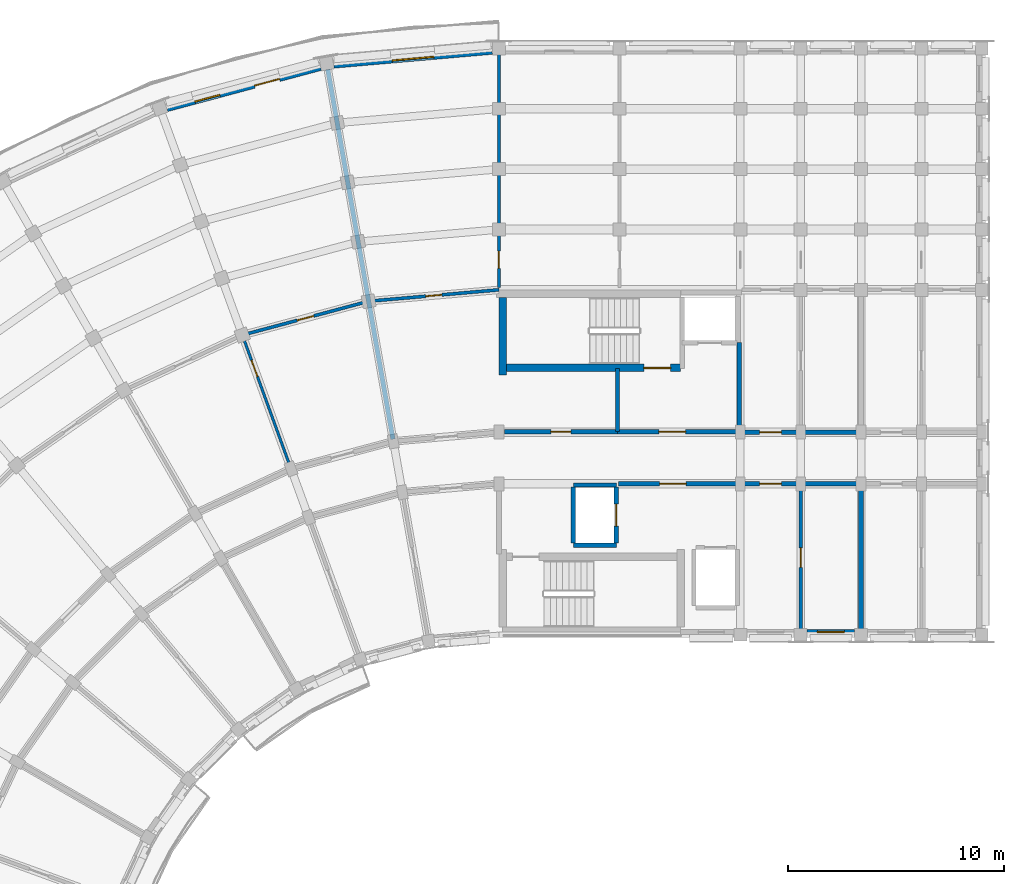
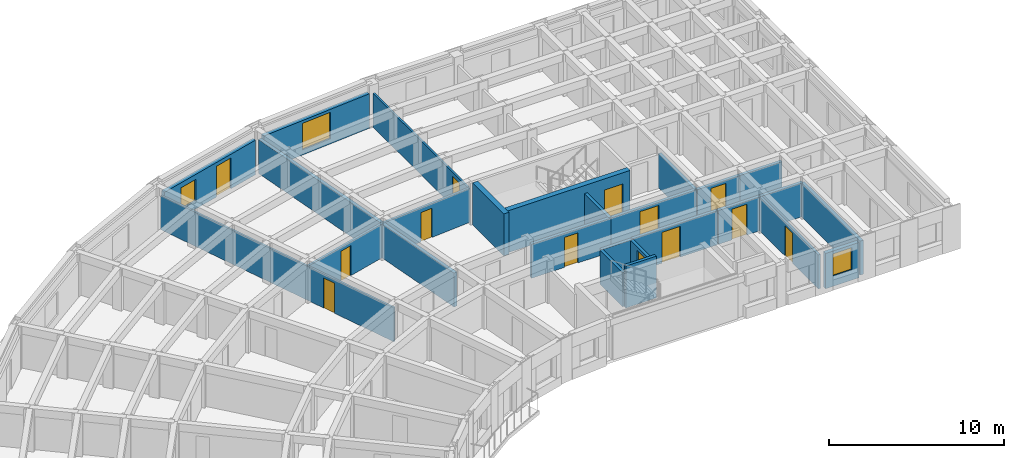
# One storey, part 15 of 36: 25 walls, 13 doors, 3 windows, 16 openings.
"""IFC4 building model written with IfcOpenShell, lengths in metres."""

import ifcopenshell
import ifcopenshell.guid

model = None  # the IFC model being written
_history = None  # IfcOwnerHistory: only IFC2X3 demands one
_inside = {}  # id of a spatial element -> (the spatial element, [elements in it])
_under = {}  # id of a project, library or spatial element -> (it, [spatial elements below it])
_declared = {}  # id of a project -> (the project, [libraries it declares])
_typed = {}  # id of a type object -> (the type object, [elements of that type])
_made_of = {}  # id of a material, layer set ... -> (it, [elements and type objects made of it])


def new_model(schema):
    """Start an empty IFC model of exactly this schema.

    Asked for "IFC4X3", IfcOpenShell would pick the latest addendum, in which some entities
    have other attributes; the version numbers below select the first issue.
    IFC2X3 requires an IfcOwnerHistory on every rooted entity: one is made here for all.
    """
    global model, _history
    if schema == "IFC4X3":
        model = ifcopenshell.file(schema_version=(4, 3, 0, 0))
    else:
        model = ifcopenshell.file(schema=schema)
    _inside.clear()
    _under.clear()
    _declared.clear()
    _typed.clear()
    _made_of.clear()
    _history = None
    if model.schema == "IFC2X3":
        org = make("IfcOrganization", Name="unknown")
        user = make(
            "IfcPersonAndOrganization",
            ThePerson=make("IfcPerson", FamilyName="unknown"),
            TheOrganization=org,
        )
        app = make(
            "IfcApplication",
            ApplicationDeveloper=org,
            Version="unknown",
            ApplicationFullName="unknown",
            ApplicationIdentifier="unknown",
        )
        _history = make(
            "IfcOwnerHistory",
            OwningUser=user,
            OwningApplication=app,
            ChangeAction="ADDED",
            CreationDate=0,
        )
    return model


def make(cls, **values):
    """One entity of the class cls with the attributes given. An attribute that is None is left unset."""
    return model.create_entity(
        cls, **{name: value for name, value in values.items() if value is not None}
    )


def rooted(cls, **values):
    """An entity with a GlobalId (a new one), such as an element, a storey or a relation."""
    return make(cls, GlobalId=ifcopenshell.guid.new(), OwnerHistory=_history, **values)


def si_unit(unit_type, name, prefix=None):
    """IfcSIUnit, for example si_unit("LENGTHUNIT", "METRE", prefix="MILLI")."""
    return make("IfcSIUnit", UnitType=unit_type, Prefix=prefix, Name=name)


def assignment(units):
    """IfcUnitAssignment: the units of a project."""
    return None if units is None else make("IfcUnitAssignment", Units=units)


def point(xyz):
    """IfcCartesianPoint."""
    return None if xyz is None else make("IfcCartesianPoint", Coordinates=xyz)


def direction(xyz):
    """IfcDirection."""
    return None if xyz is None else make("IfcDirection", DirectionRatios=xyz)


def frame(location, z_axis=None, x_axis=None):
    """IfcAxis2Placement3D, a coordinate frame: its origin and axes. An axis left out is left unset."""
    return make(
        "IfcAxis2Placement3D",
        Location=point(location),
        Axis=direction(z_axis),
        RefDirection=direction(x_axis),
    )


def frame_2d(location, x_axis=None):
    """IfcAxis2Placement2D, a coordinate frame in the plane: its origin and x axis."""
    return make(
        "IfcAxis2Placement2D", Location=point(location), RefDirection=direction(x_axis)
    )


def origin():
    """The frame at (0, 0, 0) with its axes left unset."""
    return frame((0.0, 0.0, 0.0))


def place(relative_to, where):
    """IfcLocalPlacement: puts the frame where relative to a parent placement (None: the world)."""
    return make(
        "IfcLocalPlacement", PlacementRelTo=relative_to, RelativePlacement=where
    )


def context(
    kind, dimensions, precision=None, world=None, true_north=None, identifier=None
):
    """IfcGeometricRepresentationContext, for example the 3D "Model" context."""
    return make(
        "IfcGeometricRepresentationContext",
        ContextIdentifier=identifier,
        ContextType=kind,
        CoordinateSpaceDimension=dimensions,
        Precision=precision,
        WorldCoordinateSystem=world,
        TrueNorth=true_north,
    )


def subcontext(parent, identifier, kind, view, scale=None):
    """IfcGeometricRepresentationSubContext, for example "Body" below "Model"."""
    return make(
        "IfcGeometricRepresentationSubContext",
        ContextIdentifier=identifier,
        ContextType=kind,
        ParentContext=parent,
        TargetScale=scale,
        TargetView=view,
    )


def project(units=None, contexts=None):
    """IfcProject with its units and contexts."""
    return rooted(
        "IfcProject",
        Name="project",
        RepresentationContexts=contexts,
        UnitsInContext=assignment(units),
    )


def spatial(cls, under=None, at=None, **own):
    """A site, building, storey or space (cls), placed at a placement, below another one or the project."""
    s = rooted(cls, ObjectPlacement=at, **own)
    if under is not None:
        _under.setdefault(under.id(), (under, []))[1].append(s)
    return s


def profile(cls, at=None, kind="AREA", **sizes):
    """A parametric profile (cls). Its sizes go by their IFC names, for example OverallWidth=200.0."""
    return make(cls, ProfileType=kind, Position=at, **sizes)


def rectangle(**sizes):
    """IfcRectangleProfileDef."""
    return profile("IfcRectangleProfileDef", **sizes)


def extrude(swept, where, along, depth):
    """IfcExtrudedAreaSolid: the profile swept, set in the frame where, extruded along a direction by depth."""
    return make(
        "IfcExtrudedAreaSolid",
        SweptArea=swept,
        Position=where,
        ExtrudedDirection=direction(along),
        Depth=depth,
    )


def shape(context_of_items, identifier, shape_type, items):
    """IfcShapeRepresentation: the items that make up one representation, for example the "Body"."""
    return make(
        "IfcShapeRepresentation",
        ContextOfItems=context_of_items,
        RepresentationIdentifier=identifier,
        RepresentationType=shape_type,
        Items=items,
    )


def material(Name=None, Category=None):
    """IfcMaterial."""
    return make("IfcMaterial", Name=Name, Category=Category)


def layer(
    of_material, thickness, ventilated=None, Name=None, Category=None, Priority=None
):
    """IfcMaterialLayer: one layer of a wall or slab, of a material (None: an air gap)."""
    return make(
        "IfcMaterialLayer",
        Material=of_material,
        LayerThickness=thickness,
        IsVentilated=ventilated,
        Name=Name,
        Category=Category,
        Priority=Priority,
    )


def layer_set(layers, Name=None):
    """IfcMaterialLayerSet."""
    return make("IfcMaterialLayerSet", MaterialLayers=layers, LayerSetName=Name)


def made_of(thing, what):
    """Note that an element or type object is made of a material, layer set ...; save() writes the relation."""
    if what is not None:
        _made_of.setdefault(what.id(), (what, []))[1].append(thing)
    return thing


def type_object(cls, material=None, **own):
    """A type object (cls), such as IfcWallType, which elements share."""
    return made_of(rooted(cls, **own), material)


def element(
    cls,
    number,
    at=None,
    inside=None,
    cuts=None,
    type_object=None,
    material=None,
    context=None,
    identifier="Body",
    shape_type=None,
    held_by="IfcProductDefinitionShape",
    body=None,
    shapes=None,
    **own,
):
    """One element of the class cls, such as IfcWall. Its Tag is "e" and its number.

    at: its placement. inside: the storey or other place that contains it. cuts: it is an
    opening in that element (IfcRelVoidsElement). A single representation is given by context,
    identifier, shape_type and body (its items); several are given by shapes. held_by: the class
    of the entity that holds the representations. save() writes the other relations.
    """
    e = rooted(cls, Tag="e%d" % number, ObjectPlacement=at, **own)
    if body is not None:
        shapes = [shape(context, identifier, shape_type, body)]
    if shapes is not None:
        e.Representation = make(held_by, Representations=shapes)
    if inside is not None:
        _inside.setdefault(inside.id(), (inside, []))[1].append(e)
    if cuts is not None:
        rooted(
            "IfcRelVoidsElement", RelatingBuildingElement=cuts, RelatedOpeningElement=e
        )
    if type_object is not None:
        _typed.setdefault(type_object.id(), (type_object, []))[1].append(e)
    return made_of(e, material)


def fill(opening, filler):
    """IfcRelFillsElement: the door or window that sits in an opening."""
    return rooted(
        "IfcRelFillsElement",
        RelatingOpeningElement=opening,
        RelatedBuildingElement=filler,
    )


def aggregate(whole, parts):
    """IfcRelAggregates: a whole, such as a stair, and the parts it consists of."""
    return rooted("IfcRelAggregates", RelatingObject=whole, RelatedObjects=parts)


def save(model, path):
    """Write the relations noted so far, then the file.

    IfcRelAggregates (storeys below a building ...), IfcRelContainedInSpatialStructure (elements
    in a storey), IfcRelDefinesByType, IfcRelAssociatesMaterial and IfcRelDeclares: one each for
    every whole, place, type object, material and project.
    """
    for whole, parts in _under.values():
        aggregate(whole, parts)
    for where, things in _inside.values():
        rooted(
            "IfcRelContainedInSpatialStructure",
            RelatedElements=things,
            RelatingStructure=where,
        )
    for kind, things in _typed.values():
        rooted("IfcRelDefinesByType", RelatedObjects=things, RelatingType=kind)
    for what, things in _made_of.values():
        rooted("IfcRelAssociatesMaterial", RelatedObjects=things, RelatingMaterial=what)
    for by, libraries in _declared.values():
        rooted("IfcRelDeclares", RelatingContext=by, RelatedDefinitions=libraries)
    model.write(path)


model = new_model("IFC4")

# Units and contexts
model_context = context("Model", 3, precision=1e-05, world=origin(), true_north=direction((0.0, 1.0)))
body_context = subcontext(model_context, "Body", "Model", "MODEL_VIEW")
ifc_project = project(units=[si_unit("LENGTHUNIT", "METRE"), si_unit("AREAUNIT", "SQUARE_METRE"), si_unit("VOLUMEUNIT", "CUBIC_METRE"), si_unit("PLANEANGLEUNIT", "RADIAN"), si_unit("MASSUNIT", "GRAM", prefix="KILO")], contexts=[model_context])

# Site, building, storey
site_placement = place(None, origin())
site = spatial("IfcSite", under=ifc_project, at=site_placement, CompositionType="ELEMENT")
building_placement = place(site_placement, origin())
building = spatial("IfcBuilding", under=site, at=building_placement, Name="Kiranvali Square Residences", CompositionType="ELEMENT")
storey_placement = place(building_placement, frame((0.0, 0.0, 37.050048828125)))
storey = spatial("IfcBuildingStorey", under=building, at=storey_placement, Name="L11", CompositionType="ELEMENT", Elevation=37.050048828125)

# Wall, opening, door
ifc_material_1 = material(Name="Autoclaved aerated concrete blockwork masonry", Category="masonry")
ifc_layer_1 = layer(ifc_material_1, 0.199951171875)
ifc_layer_set_1 = layer_set([ifc_layer_1], Name="Autoclaved aerated concrete blockwork masonry")
wall_type_1 = type_object("IfcWallType", Name="WL-COR-200", PredefinedType="STANDARD", material=ifc_layer_set_1)
wall_1_placement = place(storey_placement, frame((53.75, 113.60009765625, 0.0), z_axis=(0.0, 0.0, 1.0), x_axis=(1.0, 0.0, 0.0)))
wall_1 = element("IfcWall", 1, at=wall_1_placement, inside=storey, type_object=wall_type_1, Name="L11 architectural wall WL-L11-A-LL-COR", PredefinedType="STANDARD", context=body_context, shape_type="SweptSolid", body=[
    extrude(rectangle(XDim=5.60009765625, YDim=0.199951171875, at=frame_2d((2.800048828125, 0.0))), origin(), (0.0, 0.0, 1.0), 2.3720703125),
])
opening_1_placement = place(wall_1_placement, frame((1.909912109375, 0.0, 0.0)))
opening_1 = element("IfcOpeningElement", 2, at=opening_1_placement, cuts=wall_1, Name="Opening FD-COR-60", PredefinedType="OPENING", context=body_context, shape_type="SweptSolid", body=[
    extrude(rectangle(XDim=1.219970703125, YDim=2.14990234375, at=frame_2d((0.60986328125, 1.074951171875))), frame((0.0, 0.10986328125, 0.0), z_axis=(0.0, -1.0, 0.0), x_axis=(1.0, 0.0, 0.0)), (0.0, 0.0, 1.0), 0.219970703125),
])
ifc_material_2 = material(Name="Fire-rated acoustic hardwood and mineral-core door assembly", Category="wood")
door_type_1 = type_object("IfcDoorType", Name="DR-FD60-1200", OperationType="NOTDEFINED", PredefinedType="DOOR", material=ifc_material_2)
door_1_placement = place(opening_1_placement, frame((1.219970703125, 0.0, 0.0), z_axis=(0.0, 0.0, 1.0), x_axis=(-1.0, 0.0, 0.0)))
door_1 = element("IfcDoor", 3, at=door_1_placement, inside=storey, type_object=door_type_1, Name="L11 door DR-L11-0686 (DR-FD60-1200)", OperationType="SINGLE_SWING_RIGHT", OverallHeight=2.14990234375, OverallWidth=1.219970703125, PredefinedType="DOOR", context=body_context, shape_type="SweptSolid", body=[
    extrude(rectangle(XDim=1.219970703125, YDim=2.14990234375, at=frame_2d((0.60986328125, 1.074951171875))), frame((0.0, 0.02490234375, 0.0), z_axis=(0.0, -1.0, 0.0), x_axis=(1.0, 0.0, 0.0)), (0.0, 0.0, 1.0), 0.050048828125),
])
fill(opening_1, door_1)

wall_2_placement = place(storey_placement, frame((59.39990234375, 113.60009765625, 0.0), z_axis=(0.0, 0.0, 1.0), x_axis=(1.0, 0.0, 0.0)))
wall_2 = element("IfcWall", 4, at=wall_2_placement, inside=storey, type_object=wall_type_1, Name="L11 architectural wall WL-L11-A-A1CI-0", PredefinedType="STANDARD", context=body_context, shape_type="SweptSolid", body=[
    extrude(rectangle(XDim=2.800048828125, YDim=0.199951171875, at=frame_2d((1.39990234375, 0.0))), origin(), (0.0, 0.0, 1.0), 2.3720703125),
])
opening_2_placement = place(wall_2_placement, frame((0.89990234375, 0.0, 0.0)))
opening_2 = element("IfcOpeningElement", 5, at=opening_2_placement, cuts=wall_2, Name="Opening FD-APT-60", PredefinedType="OPENING", context=body_context, shape_type="SweptSolid", body=[
    extrude(rectangle(XDim=1.0, YDim=2.14990234375, at=frame_2d((0.5, 1.074951171875))), frame((0.0, 0.10986328125, 0.0), z_axis=(0.0, -1.0, 0.0), x_axis=(1.0, 0.0, 0.0)), (0.0, 0.0, 1.0), 0.219970703125),
])
door_type_2 = type_object("IfcDoorType", Name="DR-APT-1000", OperationType="NOTDEFINED", PredefinedType="DOOR", material=ifc_material_2)
door_2_placement = place(opening_2_placement, frame((1.0, 0.0, 0.0), z_axis=(0.0, 0.0, 1.0), x_axis=(-1.0, 0.0, 0.0)))
door_2 = element("IfcDoor", 6, at=door_2_placement, inside=storey, type_object=door_type_2, Name="L11 door DR-L11-0690 (DR-APT-1000)", OperationType="SINGLE_SWING_RIGHT", OverallHeight=2.14990234375, OverallWidth=1.0, PredefinedType="DOOR", context=body_context, shape_type="SweptSolid", body=[
    extrude(rectangle(XDim=1.0, YDim=2.14990234375, at=frame_2d((0.5, 1.074951171875))), frame((0.0, 0.02490234375, 0.0), z_axis=(0.0, -1.0, 0.0), x_axis=(1.0, 0.0, 0.0)), (0.0, 0.0, 1.0), 0.050048828125),
])
fill(opening_2, door_2)

wall_3_placement = place(storey_placement, frame((59.39990234375, 116.0, 0.0), z_axis=(0.0, 0.0, 1.0), x_axis=(1.0, 0.0, 0.0)))
wall_3 = element("IfcWall", 7, at=wall_3_placement, inside=storey, type_object=wall_type_1, Name="L11 architectural wall WL-L11-A-A1CO-0", PredefinedType="STANDARD", context=body_context, shape_type="SweptSolid", body=[
    extrude(rectangle(XDim=2.800048828125, YDim=0.199951171875, at=frame_2d((1.39990234375, 0.0))), origin(), (0.0, 0.0, 1.0), 2.3720703125),
])
opening_3_placement = place(wall_3_placement, frame((0.89990234375, 0.0, 0.0)))
opening_3 = element("IfcOpeningElement", 8, at=opening_3_placement, cuts=wall_3, Name="Opening FD-APT-60", PredefinedType="OPENING", context=body_context, shape_type="SweptSolid", body=[
    extrude(rectangle(XDim=1.0, YDim=2.14990234375, at=frame_2d((0.5, 1.074951171875))), frame((0.0, 0.10986328125, 0.0), z_axis=(0.0, -1.0, 0.0), x_axis=(1.0, 0.0, 0.0)), (0.0, 0.0, 1.0), 0.219970703125),
])
door_3_placement = place(opening_3_placement, frame((1.0, 0.0, 0.0), z_axis=(0.0, 0.0, 1.0), x_axis=(-1.0, 0.0, 0.0)))
door_3 = element("IfcDoor", 9, at=door_3_placement, inside=storey, type_object=door_type_2, Name="L11 door DR-L11-0692 (DR-APT-1000)", OperationType="SINGLE_SWING_RIGHT", OverallHeight=2.14990234375, OverallWidth=1.0, PredefinedType="DOOR", context=body_context, shape_type="SweptSolid", body=[
    extrude(rectangle(XDim=1.0, YDim=2.14990234375, at=frame_2d((0.5, 1.074951171875))), frame((0.0, 0.02490234375, 0.0), z_axis=(0.0, -1.0, 0.0), x_axis=(1.0, 0.0, 0.0)), (0.0, 0.0, 1.0), 0.050048828125),
])
fill(opening_3, door_3)

# Walls
for number, where, z_axis, x_axis, name in (
    (10, (62.199951171875, 113.60009765625, 0.0), (0.0, 0.0, 1.0), (1.0, 0.0, 0.0), "L11 architectural wall WL-L11-A-A1CI-1"),
    (11, (62.199951171875, 116.0, 0.0), (0.0, 0.0, 1.0), (1.0, 0.0, 0.0), "L11 architectural wall WL-L11-A-A1CO-1"),
):
    element("IfcWall", number, at=place(storey_placement, frame(where, z_axis=z_axis, x_axis=x_axis)), inside=storey, type_object=wall_type_1, Name=name, PredefinedType="STANDARD", context=body_context, shape_type="SweptSolid", body=[
        extrude(rectangle(XDim=2.800048828125, YDim=0.199951171875, at=frame_2d((1.39990234375, 0.0))), origin(), (0.0, 0.0, 1.0), 2.3720703125),
    ])
ifc_layer_2 = layer(ifc_material_1, 0.219970703125)
ifc_layer_set_2 = layer_set([ifc_layer_2], Name="Autoclaved aerated concrete blockwork masonry")
wall_type_2 = type_object("IfcWallType", Name="WL-DEM-220", PredefinedType="STANDARD", material=ifc_layer_set_2)
wall_4_placement = place(storey_placement, frame((65.0, 106.800048828125, 0.0), z_axis=(0.0, 0.0, 1.0), x_axis=(0.0, 1.0, 0.0)))
element("IfcWall", 12, at=wall_4_placement, inside=storey, type_object=wall_type_2, Name="L11 architectural wall WL-L11-A-A1TI-2", PredefinedType="STANDARD", context=body_context, shape_type="SweptSolid", body=[
    extrude(rectangle(XDim=6.75, YDim=0.219970703125, at=frame_2d((3.375, 0.0))), origin(), (0.0, 0.0, 1.0), 2.3720703125),
])
wall_5_placement = place(storey_placement, frame((43.28564453125, 115.670166015625, 0.0), z_axis=(0.0, 0.0, 1.0), x_axis=(-0.173646216546, 0.984808098809, 0.0)))
element("IfcWall", 13, at=wall_5_placement, inside=storey, type_object=wall_type_2, Name="L11 architectural wall WL-L11-A-RADO-1", PredefinedType="STANDARD", context=body_context, shape_type="SweptSolid", body=[
    extrude(rectangle(XDim=17.419921875, YDim=0.219970703125, at=frame_2d((8.7099609375, 0.0))), origin(), (0.0, 0.0, 1.0), 2.3720703125),
])

# Wall, opening, window
ifc_material_3 = material(Name="Breathable lime-rendered clay brick masonry", Category="masonry")
ifc_layer_3 = layer(ifc_material_3, 0.25)
ifc_layer_set_3 = layer_set([ifc_layer_3], Name="Breathable lime-rendered clay brick masonry")
wall_type_3 = type_object("IfcWallType", Name="WL-EXT-250", PredefinedType="STANDARD", material=ifc_layer_set_3)
wall_6_placement = place(storey_placement, frame((47.886474609375, 133.64697265625, 0.0), z_axis=(0.0, 0.0, 1.0), x_axis=(-0.996197565379, -0.087122963287, 0.0)))
wall_6 = element("IfcWall", 14, at=wall_6_placement, inside=storey, type_object=wall_type_3, Name="L11 exterior wall A-L11-CRV-00", PredefinedType="STANDARD", context=body_context, shape_type="SweptSolid", body=[
    extrude(rectangle(XDim=7.3671875, YDim=0.25, at=frame_2d((3.68359375, 0.0))), origin(), (0.0, 0.0, 1.0), 2.411865234375),
])
opening_4_placement = place(wall_6_placement, frame((2.70849609375, 0.0, 0.362060546875)))
opening_4 = element("IfcOpeningElement", 15, at=opening_4_placement, cuts=wall_6, Name="Opening W-12", PredefinedType="OPENING", context=body_context, shape_type="SweptSolid", body=[
    extrude(rectangle(XDim=1.949951171875, YDim=1.85009765625, at=frame_2d((0.97509765625, 0.925048828125))), frame((0.0, 0.135009765625, 0.0), z_axis=(0.0, -1.0, 0.0), x_axis=(1.0, 0.0, 0.0)), (0.0, 0.0, 1.0), 0.27001953125),
])
ifc_material_4 = material(Name="Solar-control low-e double glazing", Category="glass")
window_type_1 = type_object("IfcWindowType", Name="WIN-RES-1950x1850", PartitioningType="DOUBLE_PANEL_VERTICAL", PredefinedType="WINDOW", material=ifc_material_4)
window_1_placement = place(opening_4_placement, origin())
window_1 = element("IfcWindow", 16, at=window_1_placement, inside=storey, type_object=window_type_1, Name="L11 recessed window A-L11-CRV-00", OverallHeight=1.85009765625, OverallWidth=1.949951171875, PartitioningType="DOUBLE_PANEL_VERTICAL", PredefinedType="WINDOW", context=body_context, shape_type="SweptSolid", body=[
    extrude(rectangle(XDim=1.949951171875, YDim=1.85009765625, at=frame_2d((0.97509765625, 0.925048828125))), frame((0.0, 0.030029296875, 0.0), z_axis=(0.0, -1.0, 0.0), x_axis=(1.0, 0.0, 0.0)), (0.0, 0.0, 1.0), 0.06005859375),
])
fill(opening_4, window_1)

# Wall, openings, door, window
wall_7_placement = place(storey_placement, frame((39.929931640625, 132.896240234375, 0.0), z_axis=(0.0, 0.0, 1.0), x_axis=(-0.965925122991, -0.258821669831, 0.0)))
wall_7 = element("IfcWall", 17, at=wall_7_placement, inside=storey, type_object=wall_type_3, Name="L11 exterior wall A-L11-CRV-01", PredefinedType="STANDARD", context=body_context, shape_type="SweptSolid", body=[
    extrude(rectangle(XDim=7.366943359375, YDim=0.25, at=frame_2d((3.68359375, 0.0))), origin(), (0.0, 0.0, 1.0), 2.411865234375),
])
opening_5_placement = place(wall_7_placement, frame((4.83984375, 0.0, 0.56201171875)))
opening_5 = element("IfcOpeningElement", 18, at=opening_5_placement, cuts=wall_7, Name="Opening W-06", PredefinedType="OPENING", context=body_context, shape_type="SweptSolid", body=[
    extrude(rectangle(XDim=1.199951171875, YDim=1.5, at=frame_2d((0.60009765625, 0.75))), frame((0.0, 0.135009765625, 0.0), z_axis=(0.0, -1.0, 0.0), x_axis=(1.0, 0.0, 0.0)), (0.0, 0.0, 1.0), 0.27001953125),
])
opening_6_placement = place(wall_7_placement, frame((1.978515625, 0.0, 0.0)))
opening_6 = element("IfcOpeningElement", 19, at=opening_6_placement, cuts=wall_7, Name="Opening ED-BAL-1", PredefinedType="OPENING", context=body_context, shape_type="SweptSolid", body=[
    extrude(rectangle(XDim=1.199951171875, YDim=2.14990234375, at=frame_2d((0.60009765625, 1.074951171875))), frame((0.0, 0.135009765625, 0.0), z_axis=(0.0, -1.0, 0.0), x_axis=(1.0, 0.0, 0.0)), (0.0, 0.0, 1.0), 0.27001953125),
])
ifc_material_5 = material(Name="Anodised bronze aluminium framing", Category="aluminium")
door_type_3 = type_object("IfcDoorType", Name="DR-BAL-1200", OperationType="NOTDEFINED", PredefinedType="DOOR", material=ifc_material_5)
door_4_placement = place(opening_6_placement, frame((1.199951171875, 0.0, 0.0), z_axis=(0.0, 0.0, 1.0), x_axis=(-1.0, 0.0, 0.0)))
door_4 = element("IfcDoor", 20, at=door_4_placement, inside=storey, type_object=door_type_3, Name="L11 balcony terrace door", OperationType="SINGLE_SWING_LEFT", OverallHeight=2.14990234375, OverallWidth=1.199951171875, PredefinedType="DOOR", context=body_context, shape_type="SweptSolid", body=[
    extrude(rectangle(XDim=1.199951171875, YDim=2.14990234375, at=frame_2d((0.60009765625, 1.074951171875))), frame((0.0, 0.02490234375, 0.0), z_axis=(0.0, -1.0, 0.0), x_axis=(1.0, 0.0, 0.0)), (0.0, 0.0, 1.0), 0.050048828125),
])
fill(opening_6, door_4)
window_type_2 = type_object("IfcWindowType", Name="WIN-RES-1200x1500", PartitioningType="SINGLE_PANEL", PredefinedType="WINDOW", material=ifc_material_4)
window_2_placement = place(opening_5_placement, origin())
window_2 = element("IfcWindow", 21, at=window_2_placement, inside=storey, type_object=window_type_2, Name="L11 recessed window A-L11-CRV-01", OverallHeight=1.5, OverallWidth=1.199951171875, PartitioningType="SINGLE_PANEL", PredefinedType="WINDOW", context=body_context, shape_type="SweptSolid", body=[
    extrude(rectangle(XDim=1.199951171875, YDim=1.5, at=frame_2d((0.60009765625, 0.75))), frame((0.0, 0.030029296875, 0.0), z_axis=(0.0, -1.0, 0.0), x_axis=(1.0, 0.0, 0.0)), (0.0, 0.0, 1.0), 0.06005859375),
])
fill(opening_5, window_2)

# Wall, opening, window
wall_8_placement = place(storey_placement, frame((62.50341796875, 106.72509765625, 0.0), z_axis=(0.0, 0.0, 1.0), x_axis=(1.0, 0.0, 0.0)))
wall_8 = element("IfcWall", 22, at=wall_8_placement, inside=storey, type_object=wall_type_3, Name="L11 exterior wall A-L11-A1I-1", PredefinedType="STANDARD", context=body_context, shape_type="SweptSolid", body=[
    extrude(rectangle(XDim=2.193115234375, YDim=0.25, at=frame_2d((1.0966796875, 0.0))), origin(), (0.0, 0.0, 1.0), 2.471923828125),
])
opening_7_placement = place(wall_8_placement, frame((0.471435546875, 0.0, 0.721923828125)))
opening_7 = element("IfcOpeningElement", 23, at=opening_7_placement, cuts=wall_8, Name="Opening W-19", PredefinedType="OPENING", context=body_context, shape_type="SweptSolid", body=[
    extrude(rectangle(XDim=1.25, YDim=1.550048828125, at=frame_2d((0.625, 0.77490234375))), frame((0.0, 0.135009765625, 0.0), z_axis=(0.0, -1.0, 0.0), x_axis=(1.0, 0.0, 0.0)), (0.0, 0.0, 1.0), 0.27001953125),
])
window_type_3 = type_object("IfcWindowType", Name="WIN-GDN-1250x1550", PartitioningType="SINGLE_PANEL", PredefinedType="WINDOW", material=ifc_material_4)
window_3_placement = place(opening_7_placement, origin())
window_3 = element("IfcWindow", 24, at=window_3_placement, inside=storey, type_object=window_type_3, Name="L11 recessed window A-L11-A1I-1", OverallHeight=1.550048828125, OverallWidth=1.25, PartitioningType="SINGLE_PANEL", PredefinedType="WINDOW", context=body_context, shape_type="SweptSolid", body=[
    extrude(rectangle(XDim=1.25, YDim=1.550048828125, at=frame_2d((0.625, 0.77490234375))), frame((0.0, 0.030029296875, 0.0), z_axis=(0.0, -1.0, 0.0), x_axis=(1.0, 0.0, 0.0)), (0.0, 0.0, 1.0), 0.06005859375),
])
fill(opening_7, window_3)

# Wall, opening, door
ifc_layer_4 = layer(ifc_material_1, 0.199951171875)
ifc_layer_set_4 = layer_set([ifc_layer_4], Name="Autoclaved aerated concrete blockwork masonry")
wall_type_4 = type_object("IfcWallType", Name="WL-FFL-200", PredefinedType="STANDARD", material=ifc_layer_set_4)
wall_9_placement = place(storey_placement, frame((53.699951171875, 116.02001953125, 0.0), z_axis=(0.0, 0.0, 1.0), x_axis=(1.0, 0.0, 0.0)))
wall_9 = element("IfcWall", 25, at=wall_9_placement, inside=storey, type_object=wall_type_4, Name="L11 architectural wall WL-L11-A-FF-COR", PredefinedType="STANDARD", context=body_context, shape_type="SweptSolid", body=[
    extrude(rectangle(XDim=5.650146484375, YDim=0.199951171875, at=frame_2d((2.8251953125, 0.0))), origin(), (0.0, 0.0, 1.0), 2.3720703125),
])
opening_8_placement = place(wall_9_placement, frame((1.922607421875, 0.0, 0.0)))
opening_8 = element("IfcOpeningElement", 26, at=opening_8_placement, cuts=wall_9, Name="Opening FD-ST-120", PredefinedType="OPENING", context=body_context, shape_type="SweptSolid", body=[
    extrude(rectangle(XDim=1.239990234375, YDim=2.14990234375, at=frame_2d((0.6201171875, 1.074951171875))), frame((0.0, 0.10986328125, 0.0), z_axis=(0.0, -1.0, 0.0), x_axis=(1.0, 0.0, 0.0)), (0.0, 0.0, 1.0), 0.219970703125),
])
door_type_4 = type_object("IfcDoorType", Name="DR-FD120-1200", OperationType="NOTDEFINED", PredefinedType="DOOR", material=ifc_material_2)
door_5_placement = place(opening_8_placement, frame((1.239990234375, 0.0, 0.0), z_axis=(0.0, 0.0, 1.0), x_axis=(-1.0, 0.0, 0.0)))
door_5 = element("IfcDoor", 27, at=door_5_placement, inside=storey, type_object=door_type_4, Name="L11 door DR-L11-0678 (DR-FD120-1200)", OperationType="SINGLE_SWING_RIGHT", OverallHeight=2.14990234375, OverallWidth=1.239990234375, PredefinedType="DOOR", context=body_context, shape_type="SweptSolid", body=[
    extrude(rectangle(XDim=1.239990234375, YDim=2.14990234375, at=frame_2d((0.6201171875, 1.074951171875))), frame((0.0, 0.02490234375, 0.0), z_axis=(0.0, -1.0, 0.0), x_axis=(1.0, 0.0, 0.0)), (0.0, 0.0, 1.0), 0.050048828125),
])
fill(opening_8, door_5)

# Walls
wall_10_placement = place(storey_placement, frame((53.699951171875, 116.02001953125, 0.0), z_axis=(0.0, 0.0, 1.0), x_axis=(0.0, 1.0, 0.0)))
element("IfcWall", 28, at=wall_10_placement, inside=storey, type_object=wall_type_4, Name="L11 architectural wall WL-L11-A-FF-DIV", PredefinedType="STANDARD", context=body_context, shape_type="SweptSolid", body=[
    extrude(rectangle(XDim=2.929931640625, YDim=0.199951171875, at=frame_2d((1.46484375, 0.0))), origin(), (0.0, 0.0, 1.0), 2.3720703125),
])
wall_11_placement = place(storey_placement, frame((59.35009765625, 116.02001953125, 0.0), z_axis=(0.0, 0.0, 1.0), x_axis=(0.0, 1.0, 0.0)))
element("IfcWall", 29, at=wall_11_placement, inside=storey, type_object=wall_type_4, Name="L11 architectural wall WL-L11-A-FF-END", PredefinedType="STANDARD", context=body_context, shape_type="SweptSolid", body=[
    extrude(rectangle(XDim=4.1298828125, YDim=0.199951171875, at=frame_2d((2.06494140625, 0.0))), origin(), (0.0, 0.0, 1.0), 2.3720703125),
])

# Wall, opening, door
ifc_material_6 = material(Name="Acoustic gypsum board drylined partition", Category="gypsum")
ifc_layer_5 = layer(ifc_material_6, 0.125)
ifc_layer_set_5 = layer_set([ifc_layer_5], Name="Acoustic gypsum board drylined partition")
wall_type_5 = type_object("IfcWallType", Name="WL-PRT-125", PredefinedType="PARTITIONING", material=ifc_layer_set_5)
wall_12_placement = place(storey_placement, frame((48.199951171875, 122.699951171875, 0.0), z_axis=(0.0, 0.0, 1.0), x_axis=(0.0, 1.0, 0.0)))
wall_12 = element("IfcWall", 30, at=wall_12_placement, inside=storey, type_object=wall_type_5, Name="L11 architectural wall WL-L11-A-RADO-0", PredefinedType="PARTITIONING", context=body_context, shape_type="SweptSolid", body=[
    extrude(rectangle(XDim=10.820068359375, YDim=0.125, at=frame_2d((5.41015625, 0.0))), origin(), (0.0, 0.0, 1.0), 2.3720703125),
])
opening_9_placement = place(wall_12_placement, frame((0.8994140625, 0.0, 0.0)))
opening_9 = element("IfcOpeningElement", 31, at=opening_9_placement, cuts=wall_12, Name="Opening ID-WET", PredefinedType="OPENING", context=body_context, shape_type="SweptSolid", body=[
    extrude(rectangle(XDim=0.800048828125, YDim=2.10009765625, at=frame_2d((0.39990234375, 1.050048828125))), frame((0.0, 0.072509765625, 0.0), z_axis=(0.0, -1.0, 0.0), x_axis=(1.0, 0.0, 0.0)), (0.0, 0.0, 1.0), 0.14501953125),
])
ifc_material_7 = material(Name="Solid seasoned teak hardwood joinery", Category="wood")
door_type_5 = type_object("IfcDoorType", Name="DR-WET-800", OperationType="NOTDEFINED", PredefinedType="DOOR", material=ifc_material_7)
door_6_placement = place(opening_9_placement, origin())
door_6 = element("IfcDoor", 32, at=door_6_placement, inside=storey, type_object=door_type_5, Name="L11 door DR-L11-0705 (DR-WET-800)", OperationType="SINGLE_SWING_LEFT", OverallHeight=2.10009765625, OverallWidth=0.800048828125, PredefinedType="DOOR", context=body_context, shape_type="SweptSolid", body=[
    extrude(rectangle(XDim=0.800048828125, YDim=2.10009765625, at=frame_2d((0.39990234375, 1.050048828125))), frame((0.0, 0.02490234375, 0.0), z_axis=(0.0, -1.0, 0.0), x_axis=(1.0, 0.0, 0.0)), (0.0, 0.0, 1.0), 0.050048828125),
])
fill(opening_9, door_6)

wall_13_placement = place(storey_placement, frame((38.520751953125, 114.393310546875, 0.0), z_axis=(0.0, 0.0, 1.0), x_axis=(-0.342022120477, 0.939691901159, 0.0)))
wall_13 = element("IfcWall", 33, at=wall_13_placement, inside=storey, type_object=wall_type_5, Name="L11 architectural wall WL-L11-A-RADO-2", PredefinedType="PARTITIONING", context=body_context, shape_type="SweptSolid", body=[
    extrude(rectangle(XDim=17.419921875, YDim=0.125, at=frame_2d((8.7099609375, 0.0))), origin(), (0.0, 0.0, 1.0), 2.3720703125),
])
opening_10_placement = place(wall_13_placement, frame((4.44970703125, 0.0, 0.0)))
opening_10 = element("IfcOpeningElement", 34, at=opening_10_placement, cuts=wall_13, Name="Opening ID-WET", PredefinedType="OPENING", context=body_context, shape_type="SweptSolid", body=[
    extrude(rectangle(XDim=0.800048828125, YDim=2.10009765625, at=frame_2d((0.39990234375, 1.050048828125))), frame((0.0, 0.072509765625, 0.0), z_axis=(0.0, -1.0, 0.0), x_axis=(1.0, 0.0, 0.0)), (0.0, 0.0, 1.0), 0.14501953125),
])
door_7_placement = place(opening_10_placement, frame((0.800048828125, 0.0, 0.0), z_axis=(0.0, 0.0, 1.0), x_axis=(-1.0, 0.0, 0.0)))
door_7 = element("IfcDoor", 35, at=door_7_placement, inside=storey, type_object=door_type_5, Name="L11 door DR-L11-0708 (DR-WET-800)", OperationType="SINGLE_SWING_RIGHT", OverallHeight=2.10009765625, OverallWidth=0.800048828125, PredefinedType="DOOR", context=body_context, shape_type="SweptSolid", body=[
    extrude(rectangle(XDim=0.800048828125, YDim=2.10009765625, at=frame_2d((0.39990234375, 1.050048828125))), frame((0.0, 0.02490234375, 0.0), z_axis=(0.0, -1.0, 0.0), x_axis=(1.0, 0.0, 0.0)), (0.0, 0.0, 1.0), 0.050048828125),
])
fill(opening_10, door_7)

ifc_layer_6 = layer(ifc_material_6, 0.14990234375)
ifc_layer_set_6 = layer_set([ifc_layer_6], Name="Acoustic gypsum board drylined partition")
wall_type_6 = type_object("IfcWallType", Name="WL-PRT-150", PredefinedType="PARTITIONING", material=ifc_layer_set_6)
wall_14_placement = place(storey_placement, frame((62.199951171875, 106.800048828125, 0.0), z_axis=(0.0, 0.0, 1.0), x_axis=(0.0, 1.0, 0.0)))
wall_14 = element("IfcWall", 36, at=wall_14_placement, inside=storey, type_object=wall_type_6, Name="L11 architectural wall WL-L11-A-A1TI-1", PredefinedType="PARTITIONING", context=body_context, shape_type="SweptSolid", body=[
    extrude(rectangle(XDim=6.75, YDim=0.14990234375, at=frame_2d((3.375, 0.0))), origin(), (0.0, 0.0, 1.0), 2.3720703125),
])
opening_11_placement = place(wall_14_placement, frame((2.925048828125, 0.0, 0.0)))
opening_11 = element("IfcOpeningElement", 37, at=opening_11_placement, cuts=wall_14, Name="Opening ID-1", PredefinedType="OPENING", context=body_context, shape_type="SweptSolid", body=[
    extrude(rectangle(XDim=0.89990234375, YDim=2.10009765625, at=frame_2d((0.449951171875, 1.050048828125))), frame((0.0, 0.0849609375, 0.0), z_axis=(0.0, -1.0, 0.0), x_axis=(1.0, 0.0, 0.0)), (0.0, 0.0, 1.0), 0.169921875),
])
door_type_6 = type_object("IfcDoorType", Name="DR-INT-900", OperationType="NOTDEFINED", PredefinedType="DOOR", material=ifc_material_7)
door_8_placement = place(opening_11_placement, origin())
door_8 = element("IfcDoor", 38, at=door_8_placement, inside=storey, type_object=door_type_6, Name="L11 door DR-L11-0699 (DR-INT-900)", OperationType="SINGLE_SWING_LEFT", OverallHeight=2.10009765625, OverallWidth=0.89990234375, PredefinedType="DOOR", context=body_context, shape_type="SweptSolid", body=[
    extrude(rectangle(XDim=0.89990234375, YDim=2.10009765625, at=frame_2d((0.449951171875, 1.050048828125))), frame((0.0, 0.02490234375, 0.0), z_axis=(0.0, -1.0, 0.0), x_axis=(1.0, 0.0, 0.0)), (0.0, 0.0, 1.0), 0.050048828125),
])
fill(opening_11, door_8)

ifc_layer_7 = layer(ifc_material_1, 0.199951171875)
ifc_layer_set_7 = layer_set([ifc_layer_7], Name="Autoclaved aerated concrete blockwork masonry")
wall_type_7 = type_object("IfcWallType", Name="WL-SHF-200", PredefinedType="STANDARD", material=ifc_layer_set_7)
wall_15_placement = place(storey_placement, frame((48.449951171875, 116.02001953125, 0.0), z_axis=(0.0, 0.0, 1.0), x_axis=(1.0, 0.0, 0.0)))
wall_15 = element("IfcWall", 39, at=wall_15_placement, inside=storey, type_object=wall_type_7, Name="L11 architectural wall WL-L11-A-RSR-COR", PredefinedType="STANDARD", context=body_context, shape_type="SweptSolid", body=[
    extrude(rectangle(XDim=5.25, YDim=0.199951171875, at=frame_2d((2.625, 0.0))), origin(), (0.0, 0.0, 1.0), 2.3720703125),
])
opening_12_placement = place(wall_15_placement, frame((2.1650390625, 0.0, 0.0)))
opening_12 = element("IfcOpeningElement", 40, at=opening_12_placement, cuts=wall_15, Name="Opening FD-SVC-120", PredefinedType="OPENING", context=body_context, shape_type="SweptSolid", body=[
    extrude(rectangle(XDim=0.919921875, YDim=2.10009765625, at=frame_2d((0.4599609375, 1.050048828125))), frame((0.0, 0.10986328125, 0.0), z_axis=(0.0, -1.0, 0.0), x_axis=(1.0, 0.0, 0.0)), (0.0, 0.0, 1.0), 0.219970703125),
])
door_type_7 = type_object("IfcDoorType", Name="DR-SVC-900", OperationType="NOTDEFINED", PredefinedType="DOOR", material=ifc_material_2)
door_9_placement = place(opening_12_placement, origin())
door_9 = element("IfcDoor", 41, at=door_9_placement, inside=storey, type_object=door_type_7, Name="L11 door DR-L11-0679 (DR-SVC-900)", OperationType="SINGLE_SWING_LEFT", OverallHeight=2.10009765625, OverallWidth=0.919921875, PredefinedType="DOOR", context=body_context, shape_type="SweptSolid", body=[
    extrude(rectangle(XDim=0.919921875, YDim=2.10009765625, at=frame_2d((0.4599609375, 1.050048828125))), frame((0.0, 0.02490234375, 0.0), z_axis=(0.0, -1.0, 0.0), x_axis=(1.0, 0.0, 0.0)), (0.0, 0.0, 1.0), 0.050048828125),
])
fill(opening_12, door_9)

# Walls
wall_16_placement = place(storey_placement, frame((51.64990234375, 110.75, 0.0), z_axis=(0.0, 0.0, 1.0), x_axis=(1.0, 0.0, 0.0)))
element("IfcWall", 42, at=wall_16_placement, inside=storey, type_object=wall_type_7, Name="L11 architectural wall WL-L11-A-LP2-S0", PredefinedType="STANDARD", context=body_context, shape_type="SweptSolid", body=[
    extrude(rectangle(XDim=2.0, YDim=0.199951171875, at=frame_2d((1.0, 0.0))), origin(), (0.0, 0.0, 1.0), 2.929931640625),
])
wall_17_placement = place(storey_placement, frame((51.64990234375, 113.550048828125, 0.0), z_axis=(0.0, 0.0, 1.0), x_axis=(1.0, 0.0, 0.0)))
element("IfcWall", 43, at=wall_17_placement, inside=storey, type_object=wall_type_7, Name="L11 architectural wall WL-L11-A-LP2-B", PredefinedType="STANDARD", context=body_context, shape_type="SweptSolid", body=[
    extrude(rectangle(XDim=2.0, YDim=0.199951171875, at=frame_2d((1.0, 0.0))), origin(), (0.0, 0.0, 1.0), 2.3720703125),
])
wall_18_placement = place(storey_placement, frame((51.64990234375, 110.85009765625, 0.0), z_axis=(0.0, 0.0, 1.0), x_axis=(0.0, 1.0, 0.0)))
element("IfcWall", 44, at=wall_18_placement, inside=storey, type_object=wall_type_7, Name="L11 architectural wall WL-L11-A-LP2-S1", PredefinedType="STANDARD", context=body_context, shape_type="SweptSolid", body=[
    extrude(rectangle(XDim=2.599853515625, YDim=0.199951171875, at=frame_2d((1.2998046875, 0.0))), origin(), (0.0, 0.0, 1.0), 2.3720703125),
])

# Wall, opening, door
wall_19_placement = place(storey_placement, frame((53.64990234375, 110.85009765625, 0.0), z_axis=(0.0, 0.0, 1.0), x_axis=(0.0, 1.0, 0.0)))
wall_19 = element("IfcWall", 45, at=wall_19_placement, inside=storey, type_object=wall_type_7, Name="L11 architectural wall WL-L11-A-LP2-F", PredefinedType="STANDARD", context=body_context, shape_type="SweptSolid", body=[
    extrude(rectangle(XDim=2.599853515625, YDim=0.199951171875, at=frame_2d((1.2998046875, 0.0))), origin(), (0.0, 0.0, 1.0), 2.3720703125),
])
opening_13_placement = place(wall_19_placement, frame((0.7900390625, 0.0, 0.0)))
opening_13 = element("IfcOpeningElement", 46, at=opening_13_placement, cuts=wall_19, Name="Opening LD-PAX-100", PredefinedType="OPENING", context=body_context, shape_type="SweptSolid", body=[
    extrude(rectangle(XDim=1.02001953125, YDim=2.14990234375, at=frame_2d((0.510009765625, 1.074951171875))), frame((0.0, 0.10986328125, 0.0), z_axis=(0.0, -1.0, 0.0), x_axis=(1.0, 0.0, 0.0)), (0.0, 0.0, 1.0), 0.219970703125),
])
door_type_8 = type_object("IfcDoorType", Name="DR-LIFT-1000", OperationType="SLIDING_TO_RIGHT", PredefinedType="DOOR", material=ifc_material_2)
door_10_placement = place(opening_13_placement, origin())
door_10 = element("IfcDoor", 47, at=door_10_placement, inside=storey, type_object=door_type_8, Name="L11 door DR-L11-0685 (DR-LIFT-1000)", OperationType="SLIDING_TO_RIGHT", OverallHeight=2.14990234375, OverallWidth=1.02001953125, PredefinedType="DOOR", context=body_context, shape_type="SweptSolid", body=[
    extrude(rectangle(XDim=1.02001953125, YDim=2.14990234375, at=frame_2d((0.510009765625, 1.074951171875))), frame((0.0, 0.02490234375, 0.0), z_axis=(0.0, -1.0, 0.0), x_axis=(1.0, 0.0, 0.0)), (0.0, 0.0, 1.0), 0.050048828125),
])
fill(opening_13, door_10)

ifc_material_8 = material(Name="Concrete M45 (45 MPa)", Category="concrete")
ifc_layer_8 = layer(ifc_material_8, 0.320068359375)
ifc_layer_set_8 = layer_set([ifc_layer_8], Name="Concrete M45 (45 MPa)")
wall_type_8 = type_object("IfcWallType", Name="WL-SHR-320", PredefinedType="SHEAR", material=ifc_layer_set_8)
wall_20_placement = place(storey_placement, frame((48.550048828125, 118.97509765625, 0.0), z_axis=(0.0, 0.0, 1.0), x_axis=(1.0, 0.0, 0.0)))
wall_20 = element("IfcWall", 48, at=wall_20_placement, inside=storey, type_object=wall_type_8, Name="Block A core shear wall SW-A1-IN-L11", PredefinedType="SHEAR", context=body_context, shape_type="SweptSolid", body=[
    extrude(rectangle(XDim=8.074951171875, YDim=0.35009765625, at=frame_2d((4.03759765625, 0.0))), origin(), (0.0, 0.0, 1.0), 2.929931640625),
])
opening_14_placement = place(wall_20_placement, frame((6.3798828125, 0.0, 0.0)))
opening_14 = element("IfcOpeningElement", 49, at=opening_14_placement, cuts=wall_20, Name="Opening FD-ST-120", PredefinedType="OPENING", context=body_context, shape_type="SweptSolid", body=[
    extrude(rectangle(XDim=1.239990234375, YDim=2.14990234375, at=frame_2d((0.6201171875, 1.074951171875))), frame((0.0, 0.18505859375, 0.0), z_axis=(0.0, -1.0, 0.0), x_axis=(1.0, 0.0, 0.0)), (0.0, 0.0, 1.0), 0.3701171875),
])
door_11_placement = place(opening_14_placement, origin())
door_11 = element("IfcDoor", 50, at=door_11_placement, inside=storey, type_object=door_type_4, Name="L11 door DR-L11-0681 (DR-FD120-1200)", OperationType="SINGLE_SWING_LEFT", OverallHeight=2.14990234375, OverallWidth=1.239990234375, PredefinedType="DOOR", context=body_context, shape_type="SweptSolid", body=[
    extrude(rectangle(XDim=1.239990234375, YDim=2.14990234375, at=frame_2d((0.6201171875, 1.074951171875))), frame((0.0, 0.02490234375, 0.0), z_axis=(0.0, -1.0, 0.0), x_axis=(1.0, 0.0, 0.0)), (0.0, 0.0, 1.0), 0.050048828125),
])
fill(opening_14, door_11)

# Wall
wall_21_placement = place(storey_placement, frame((48.375, 118.64990234375, 0.0), z_axis=(0.0, 0.0, 1.0), x_axis=(0.0, 1.0, 0.0)))
element("IfcWall", 51, at=wall_21_placement, inside=storey, type_object=wall_type_8, Name="Block A core shear wall SW-A1-FAR-L11", PredefinedType="SHEAR", context=body_context, shape_type="SweptSolid", body=[
    extrude(rectangle(XDim=3.60009765625, YDim=0.35009765625, at=frame_2d((1.800048828125, 0.0))), origin(), (0.0, 0.0, 1.0), 2.929931640625),
])

# Wall, opening, door
ifc_layer_9 = layer(ifc_material_1, 0.14990234375)
ifc_layer_set_9 = layer_set([ifc_layer_9], Name="Autoclaved aerated concrete blockwork masonry")
wall_type_9 = type_object("IfcWallType", Name="WL-WET-150", PredefinedType="PLUMBINGWALL", material=ifc_layer_set_9)
wall_22_placement = place(storey_placement, frame((48.199951171875, 122.60009765625, 0.0), z_axis=(0.0, 0.0, 1.0), x_axis=(-0.996193018494, -0.087174938512, 0.0)))
wall_22 = element("IfcWall", 52, at=wall_22_placement, inside=storey, type_object=wall_type_9, Name="L11 architectural wall WL-L11-A-CWET-0", PredefinedType="PLUMBINGWALL", context=body_context, shape_type="SweptSolid", body=[
    extrude(rectangle(XDim=6.066162109375, YDim=0.14990234375, at=frame_2d((3.033203125, 0.0))), origin(), (0.0, 0.0, 1.0), 2.3720703125),
])
opening_15_placement = place(wall_22_placement, frame((2.653076171875, 0.0, 0.0)))
opening_15 = element("IfcOpeningElement", 53, at=opening_15_placement, cuts=wall_22, Name="Opening ID-WET0", PredefinedType="OPENING", context=body_context, shape_type="SweptSolid", body=[
    extrude(rectangle(XDim=0.760009765625, YDim=2.050048828125, at=frame_2d((0.3798828125, 1.02490234375))), frame((0.0, 0.0849609375, 0.0), z_axis=(0.0, -1.0, 0.0), x_axis=(1.0, 0.0, 0.0)), (0.0, 0.0, 1.0), 0.169921875),
])
door_type_9 = type_object("IfcDoorType", Name="DR-WET-760", OperationType="NOTDEFINED", PredefinedType="DOOR", material=ifc_material_7)
door_12_placement = place(opening_15_placement, frame((0.760009765625, 0.0, 0.0), z_axis=(0.0, 0.0, 1.0), x_axis=(-1.0, 0.0, 0.0)))
door_12 = element("IfcDoor", 54, at=door_12_placement, inside=storey, type_object=door_type_9, Name="L11 door DR-L11-0718 (DR-WET-760)", OperationType="SINGLE_SWING_RIGHT", OverallHeight=2.050048828125, OverallWidth=0.760009765625, PredefinedType="DOOR", context=body_context, shape_type="SweptSolid", body=[
    extrude(rectangle(XDim=0.760009765625, YDim=2.050048828125, at=frame_2d((0.3798828125, 1.02490234375))), frame((0.0, 0.02490234375, 0.0), z_axis=(0.0, -1.0, 0.0), x_axis=(1.0, 0.0, 0.0)), (0.0, 0.0, 1.0), 0.050048828125),
])
fill(opening_15, door_12)

wall_23_placement = place(storey_placement, frame((42.156982421875, 122.0712890625, 0.0), z_axis=(0.0, 0.0, 1.0), x_axis=(-0.965923618901, -0.258827283048, 0.0)))
wall_23 = element("IfcWall", 55, at=wall_23_placement, inside=storey, type_object=wall_type_9, Name="L11 architectural wall WL-L11-A-CWET-1", PredefinedType="PLUMBINGWALL", context=body_context, shape_type="SweptSolid", body=[
    extrude(rectangle(XDim=6.066162109375, YDim=0.14990234375, at=frame_2d((3.033203125, 0.0))), origin(), (0.0, 0.0, 1.0), 2.3720703125),
])
opening_16_placement = place(wall_23_placement, frame((2.633056640625, 0.0, 0.0)))
opening_16 = element("IfcOpeningElement", 56, at=opening_16_placement, cuts=wall_23, Name="Opening ID-WET", PredefinedType="OPENING", context=body_context, shape_type="SweptSolid", body=[
    extrude(rectangle(XDim=0.800048828125, YDim=2.10009765625, at=frame_2d((0.39990234375, 1.050048828125))), frame((0.0, 0.0849609375, 0.0), z_axis=(0.0, -1.0, 0.0), x_axis=(1.0, 0.0, 0.0)), (0.0, 0.0, 1.0), 0.169921875),
])
door_13_placement = place(opening_16_placement, frame((0.800048828125, 0.0, 0.0), z_axis=(0.0, 0.0, 1.0), x_axis=(-1.0, 0.0, 0.0)))
door_13 = element("IfcDoor", 57, at=door_13_placement, inside=storey, type_object=door_type_5, Name="L11 door DR-L11-0720 (DR-WET-800)", OperationType="SINGLE_SWING_RIGHT", OverallHeight=2.10009765625, OverallWidth=0.800048828125, PredefinedType="DOOR", context=body_context, shape_type="SweptSolid", body=[
    extrude(rectangle(XDim=0.800048828125, YDim=2.10009765625, at=frame_2d((0.39990234375, 1.050048828125))), frame((0.0, 0.02490234375, 0.0), z_axis=(0.0, -1.0, 0.0), x_axis=(1.0, 0.0, 0.0)), (0.0, 0.0, 1.0), 0.050048828125),
])
fill(opening_16, door_13)

save(model, "model.ifc")
